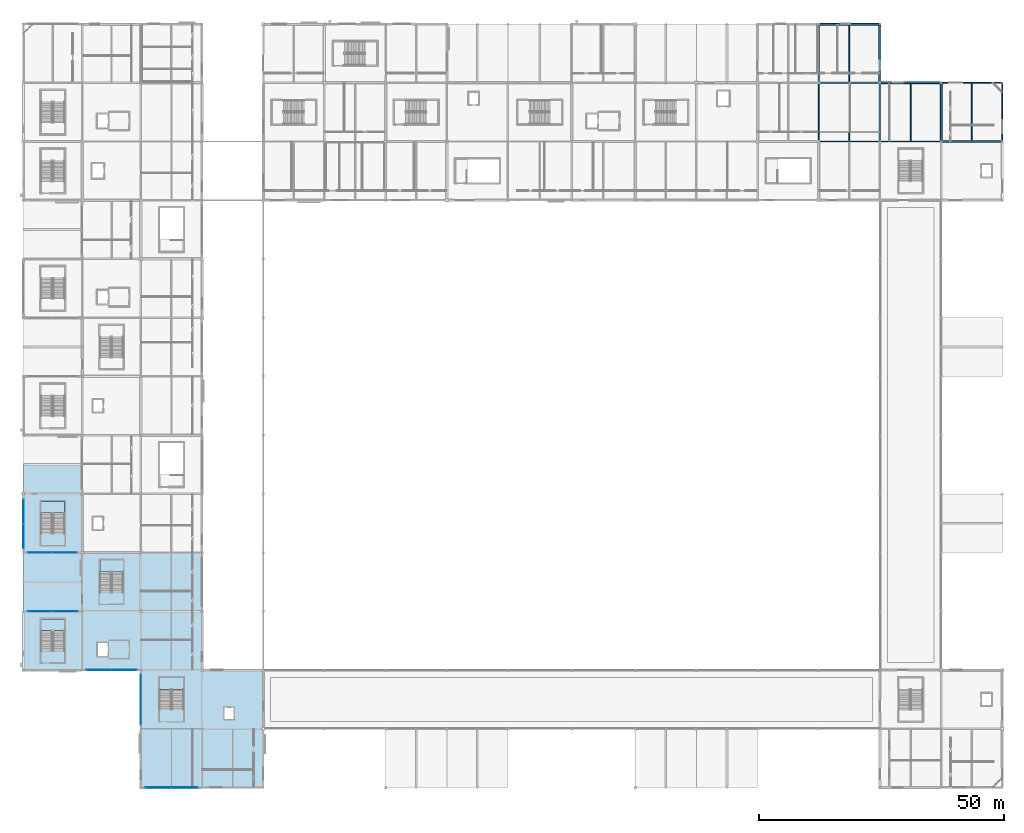
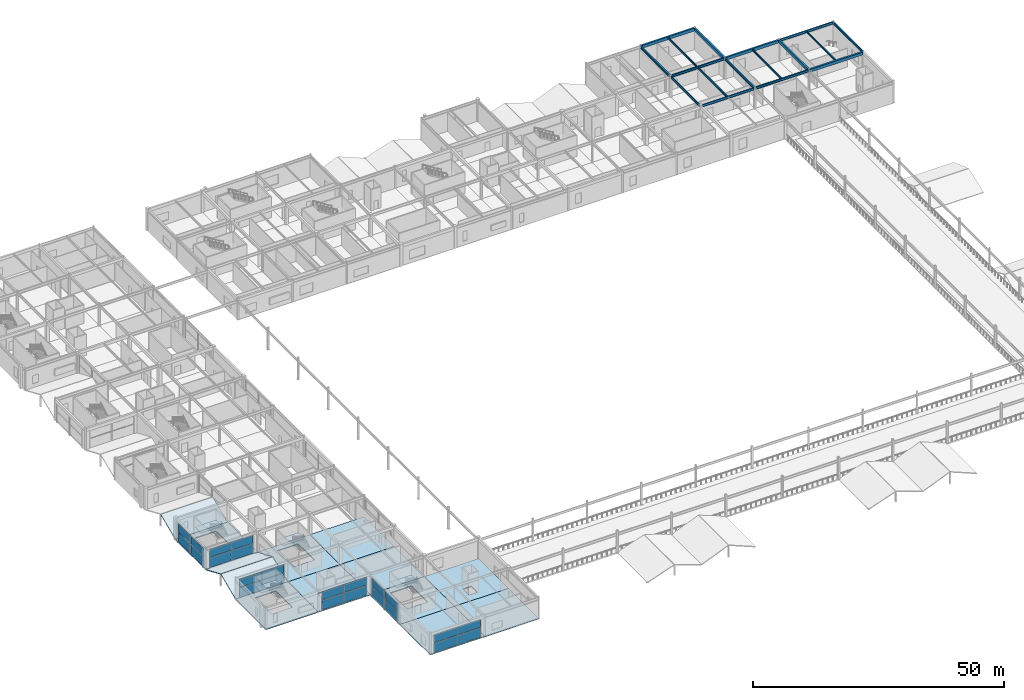
# One storey, part 57 of 105: 24 plates, 17 beams, 17 slabs, 10 elements without a shape of their own.
"""IFC4 building model written with IfcOpenShell, lengths in metres."""

from ifc_helpers import new_model, si_unit, direction, frame, origin, origin_2d, place, context, subcontext, project, spatial, polyline, rectangle, i_section, outline, extrude, material, layer, layer_set, material_profile, profile_set, type_object, element, aggregate, save


model = new_model("IFC4")

# Units and contexts
model_context = context("Model", 3, precision=1e-05, world=origin(), true_north=direction((0.0, 1.0)))
body_context = subcontext(model_context, "Body", "Model", "MODEL_VIEW")
ifc_project = project(units=[si_unit("LENGTHUNIT", "METRE"), si_unit("AREAUNIT", "SQUARE_METRE"), si_unit("VOLUMEUNIT", "CUBIC_METRE"), si_unit("PLANEANGLEUNIT", "RADIAN"), si_unit("MASSUNIT", "GRAM", prefix="KILO")], contexts=[model_context])

# Site, building, storey
site_placement = place(None, origin())
site = spatial("IfcSite", under=ifc_project, at=site_placement, CompositionType="ELEMENT")
building_placement = place(site_placement, origin())
building = spatial("IfcBuilding", under=site, at=building_placement, Name="Kazenohara Klinker Stadium", CompositionType="ELEMENT")
storey_placement = place(building_placement, frame((0.0, 0.0, 20.39990234375)))
storey = spatial("IfcBuildingStorey", under=building, at=storey_placement, Name="L04", CompositionType="ELEMENT", Elevation=20.39990234375)

# Beams
ifc_material_1 = material(Name="Steel S355", Category="steel")
ifc_material_profile_1 = material_profile(ifc_material_1, i_section(OverallWidth=0.199951171875, OverallDepth=0.5, WebThickness=0.010009765625, FlangeThickness=0.01611328125, FilletRadius=0.012939453125, at=origin_2d()), Name="H-500x200x10x16")
ifc_profile_set_1 = profile_set([ifc_material_profile_1], Name="Steel S355")
beam_type_1 = type_object("IfcBeamType", Name="BM-JST01", PredefinedType="JOIST", material=ifc_profile_set_1)
beam_1_placement = place(storey_placement, frame((168.75, 144.10009765625, 4.93017578125), z_axis=(0.0, 1.0, 0.0), x_axis=(-1.0, 0.0, 0.0)))
element("IfcBeam", 1, at=beam_1_placement, inside=storey, type_object=beam_type_1, Name="Secondary floor joist SJ01 L04 14/N", PredefinedType="JOIST", context=body_context, shape_type="SweptSolid", body=[
    extrude(i_section(OverallWidth=0.199951171875, OverallDepth=0.5, WebThickness=0.010009765625, FlangeThickness=0.01611328125, FilletRadius=0.012939453125, at=origin_2d()), origin(), (0.0, 0.0, 1.0), 11.75),
])
ifc_material_profile_2 = material_profile(ifc_material_1, i_section(OverallWidth=0.199951171875, OverallDepth=0.449951171875, WebThickness=0.009033203125, FlangeThickness=0.013916015625, FilletRadius=0.012939453125, at=origin_2d()), Name="H-450x200x9x14")
ifc_profile_set_2 = profile_set([ifc_material_profile_2], Name="Steel S355")
beam_type_2 = type_object("IfcBeamType", Name="BM-JST02", PredefinedType="JOIST", material=ifc_profile_set_2)
for number, where, z_axis, x_axis, name in (
    (2, (168.75, 156.14990234375, 4.955078125), (0.0, 1.0, 0.0), (-1.0, 0.0, 0.0), "Secondary floor joist SJ02 L04 14/P"),
    (3, (181.25, 144.14990234375, 4.955078125), (0.0, 1.0, 0.0), (-1.0, 0.0, 0.0), "Secondary floor joist SJ02 L04 15/N"),
):
    element("IfcBeam", number, at=place(storey_placement, frame(where, z_axis=z_axis, x_axis=x_axis)), inside=storey, type_object=beam_type_2, Name=name, PredefinedType="JOIST", context=body_context, shape_type="SweptSolid", body=[
        extrude(i_section(OverallWidth=0.199951171875, OverallDepth=0.449951171875, WebThickness=0.009033203125, FlangeThickness=0.013916015625, FilletRadius=0.012939453125, at=origin_2d()), origin(), (0.0, 0.0, 1.0), 11.650146484375),
    ])
ifc_material_profile_3 = material_profile(ifc_material_1, i_section(OverallWidth=0.199951171875, OverallDepth=0.39990234375, WebThickness=0.008056640625, FlangeThickness=0.012939453125, FilletRadius=0.012939453125, at=origin_2d()), Name="H-400x200x8x13")
ifc_profile_set_3 = profile_set([ifc_material_profile_3], Name="Steel S355")
beam_type_3 = type_object("IfcBeamType", Name="BM-JST03", PredefinedType="JOIST", material=ifc_profile_set_3)
beam_2_placement = place(storey_placement, frame((193.75, 144.199951171875, 4.97998046875), z_axis=(0.0, 1.0, 0.0), x_axis=(-1.0, 0.0, 0.0)))
element("IfcBeam", 4, at=beam_2_placement, inside=storey, type_object=beam_type_3, Name="Secondary floor joist SJ03 L04 16/N", PredefinedType="JOIST", context=body_context, shape_type="SweptSolid", body=[
    extrude(i_section(OverallWidth=0.199951171875, OverallDepth=0.39990234375, WebThickness=0.008056640625, FlangeThickness=0.012939453125, FilletRadius=0.012939453125, at=origin_2d()), origin(), (0.0, 0.0, 1.0), 11.699951171875),
])
ifc_material_2 = material(Name="Concrete C40/50", Category="concrete")
ifc_material_profile_4 = material_profile(ifc_material_2, rectangle(XDim=0.39990234375, YDim=0.699951171875, at=origin_2d()), Name="RC-BM-400x700")
ifc_profile_set_4 = profile_set([ifc_material_profile_4], Name="Concrete C40/50")
beam_type_4 = type_object("IfcBeamType", Name="BM-RC04", PredefinedType="BEAM", material=ifc_profile_set_4)
for number, where, z_axis, x_axis, name in (
    (5, (162.675048828125, 168.0, 4.830078125), (1.0, 0.0, 0.0), (0.0, 1.0, 0.0), "Primary girder BG04 L04 14-15/Q"),
    (6, (175.175048828125, 156.0, 4.830078125), (1.0, 0.0, 0.0), (0.0, 1.0, 0.0), "Primary girder BG04 L04 15-16/P"),
    (7, (187.675048828125, 144.0, 4.830078125), (1.0, 0.0, 0.0), (0.0, 1.0, 0.0), "Primary girder BG04 L04 16-17/N"),
):
    element("IfcBeam", number, at=place(storey_placement, frame(where, z_axis=z_axis, x_axis=x_axis)), inside=storey, type_object=beam_type_4, Name=name, PredefinedType="BEAM", context=body_context, shape_type="SweptSolid", body=[
        extrude(rectangle(XDim=0.39990234375, YDim=0.699951171875, at=origin_2d()), origin(), (0.0, 0.0, 1.0), 12.175048828125),
    ])
for number, where, z_axis, x_axis, name in (
    (8, (175.0, 156.175048828125, 4.830078125), (0.0, 1.0, 0.0), (-1.0, 0.0, 0.0), "Primary girder BG04 L04 15/P-Q"),
    (9, (187.5, 144.175048828125, 4.830078125), (0.0, 1.0, 0.0), (-1.0, 0.0, 0.0), "Primary girder BG04 L04 16/N-P"),
):
    element("IfcBeam", number, at=place(storey_placement, frame(where, z_axis=z_axis, x_axis=x_axis)), inside=storey, type_object=beam_type_4, Name=name, PredefinedType="BEAM", context=body_context, shape_type="SweptSolid", body=[
        extrude(rectangle(XDim=0.39990234375, YDim=0.699951171875, at=origin_2d()), origin(), (0.0, 0.0, 1.0), 11.675048828125),
    ])
ifc_material_profile_5 = material_profile(ifc_material_1, i_section(OverallWidth=0.199951171875, OverallDepth=0.60009765625, WebThickness=0.010986328125, FlangeThickness=0.01708984375, FilletRadius=0.012939453125, at=origin_2d()), Name="H-600x200x11x17")
ifc_profile_set_5 = profile_set([ifc_material_profile_5], Name="Steel S355")
beam_type_5 = type_object("IfcBeamType", Name="BM-ST04", PredefinedType="BEAM", material=ifc_profile_set_5)
beam_3_placement = place(storey_placement, frame((162.800048828125, 144.0, 4.880126953125), z_axis=(1.0, 0.0, 0.0), x_axis=(0.0, 1.0, 0.0)))
element("IfcBeam", 10, at=beam_3_placement, inside=storey, type_object=beam_type_5, Name="Primary girder SB04 L04 14-15/N", PredefinedType="BEAM", context=body_context, shape_type="SweptSolid", body=[
    extrude(i_section(OverallWidth=0.199951171875, OverallDepth=0.60009765625, WebThickness=0.010986328125, FlangeThickness=0.01708984375, FilletRadius=0.012939453125, at=origin_2d()), origin(), (0.0, 0.0, 1.0), 12.0),
])
beam_4_placement = place(storey_placement, frame((187.64990234375, 156.0, 4.880126953125), z_axis=(1.0, 0.0, 0.0), x_axis=(0.0, 1.0, 0.0)))
element("IfcBeam", 11, at=beam_4_placement, inside=storey, type_object=beam_type_5, Name="Primary girder SB04 L04 16-17/P", PredefinedType="BEAM", context=body_context, shape_type="SweptSolid", body=[
    extrude(i_section(OverallWidth=0.199951171875, OverallDepth=0.60009765625, WebThickness=0.010986328125, FlangeThickness=0.01708984375, FilletRadius=0.012939453125, at=origin_2d()), origin(), (0.0, 0.0, 1.0), 12.22509765625),
])
beam_5_placement = place(storey_placement, frame((162.5, 144.300048828125, 4.880126953125), z_axis=(0.0, 1.0, 0.0), x_axis=(-1.0, 0.0, 0.0)))
element("IfcBeam", 12, at=beam_5_placement, inside=storey, type_object=beam_type_5, Name="Primary girder SB04 L04 14/N-P", PredefinedType="BEAM", context=body_context, shape_type="SweptSolid", body=[
    extrude(i_section(OverallWidth=0.199951171875, OverallDepth=0.60009765625, WebThickness=0.010986328125, FlangeThickness=0.01708984375, FilletRadius=0.012939453125, at=origin_2d()), origin(), (0.0, 0.0, 1.0), 11.5),
])
beam_6_placement = place(storey_placement, frame((200.0, 144.14990234375, 4.880126953125), z_axis=(0.0, 1.0, 0.0), x_axis=(-1.0, 0.0, 0.0)))
element("IfcBeam", 13, at=beam_6_placement, inside=storey, type_object=beam_type_5, Name="Primary girder SB04 L04 17/N-P", PredefinedType="BEAM", context=body_context, shape_type="SweptSolid", body=[
    extrude(i_section(OverallWidth=0.199951171875, OverallDepth=0.60009765625, WebThickness=0.010986328125, FlangeThickness=0.01708984375, FilletRadius=0.012939453125, at=origin_2d()), origin(), (0.0, 0.0, 1.0), 11.72509765625),
])
ifc_material_profile_6 = material_profile(ifc_material_1, i_section(OverallWidth=0.300048828125, OverallDepth=0.587890625, WebThickness=0.011962890625, FlangeThickness=0.02001953125, FilletRadius=0.02197265625, at=origin_2d()), Name="H-588x300x12x20")
ifc_profile_set_6 = profile_set([ifc_material_profile_6], Name="Steel S355")
beam_type_6 = type_object("IfcBeamType", Name="BM-ST05", PredefinedType="BEAM", material=ifc_profile_set_6)
for number, where, z_axis, x_axis, name in (
    (14, (162.699951171875, 156.0, 4.885986328125), (1.0, 0.0, 0.0), (0.0, 1.0, 0.0), "Primary girder SB05 L04 14-15/P"),
    (15, (175.199951171875, 144.0, 4.885986328125), (1.0, 0.0, 0.0), (0.0, 1.0, 0.0), "Primary girder SB05 L04 15-16/N"),
):
    element("IfcBeam", number, at=place(storey_placement, frame(where, z_axis=z_axis, x_axis=x_axis)), inside=storey, type_object=beam_type_6, Name=name, PredefinedType="BEAM", context=body_context, shape_type="SweptSolid", body=[
        extrude(i_section(OverallWidth=0.300048828125, OverallDepth=0.587890625, WebThickness=0.011962890625, FlangeThickness=0.02001953125, FilletRadius=0.02197265625, at=origin_2d()), origin(), (0.0, 0.0, 1.0), 12.125),
    ])
for number, where, z_axis, x_axis, name in (
    (16, (162.5, 156.199951171875, 4.885986328125), (0.0, 1.0, 0.0), (-1.0, 0.0, 0.0), "Primary girder SB05 L04 14/P-Q"),
    (17, (175.0, 144.199951171875, 4.885986328125), (0.0, 1.0, 0.0), (-1.0, 0.0, 0.0), "Primary girder SB05 L04 15/N-P"),
):
    element("IfcBeam", number, at=place(storey_placement, frame(where, z_axis=z_axis, x_axis=x_axis)), inside=storey, type_object=beam_type_6, Name=name, PredefinedType="BEAM", context=body_context, shape_type="SweptSolid", body=[
        extrude(i_section(OverallWidth=0.300048828125, OverallDepth=0.587890625, WebThickness=0.011962890625, FlangeThickness=0.02001953125, FilletRadius=0.02197265625, at=origin_2d()), origin(), (0.0, 0.0, 1.0), 11.625),
    ])

# Curtain wall, plates
ifc_material_3 = material(Name="Anodised aluminium and triple glazing", Category="aluminium")
ifc_layer_1 = layer(ifc_material_3, 0.159912109375)
ifc_layer_set_1 = layer_set([ifc_layer_1], Name="Anodised aluminium and triple glazing")
curtain_wall_type_1 = type_object("IfcCurtainWallType", Name="CW-SYS-01", PredefinedType="USERDEFINED", material=ifc_layer_set_1)
curtain_wall_1_placement = place(storey_placement, origin())
curtain_wall_1 = element("IfcCurtainWall", 18, at=curtain_wall_1_placement, inside=storey, type_object=curtain_wall_type_1, Name="Unitised facade curtain wall CW01 L04 X0-4", ObjectType="UNITISED CURTAIN WALL", PredefinedType="USERDEFINED")
ifc_material_4 = material(Name="Low-e laminated triple glazing", Category="glass")
ifc_layer_2 = layer(ifc_material_4, 0.0439453125)
ifc_layer_set_2 = layer_set([ifc_layer_2], Name="Low-e laminated triple glazing")
plate_type = type_object("IfcPlateType", Name="CW-PNL-44", PredefinedType="CURTAIN_PANEL", material=ifc_layer_set_2)
plate_1_placement = place(storey_placement, frame((3.427001953125, 48.0, 0.0751953125), z_axis=(0.0, 0.0, 1.0), x_axis=(1.0, 0.0, 0.0)))
plate_1 = element("IfcPlate", 19, at=plate_1_placement, type_object=plate_type, Name="CW01 panel 1.1", PredefinedType="CURTAIN_PANEL", context=body_context, shape_type="SweptSolid", body=[
    extrude(rectangle(XDim=5.095947265625, YDim=0.0439453125, at=origin_2d()), origin(), (0.0, 0.0, 1.0), 2.406494140625),
])
plate_2_placement = place(storey_placement, frame((3.427001953125, 48.0, 2.556640625), z_axis=(0.0, 0.0, 1.0), x_axis=(1.0, 0.0, 0.0)))
plate_2 = element("IfcPlate", 20, at=plate_2_placement, type_object=plate_type, Name="CW01 panel 1.2", PredefinedType="CURTAIN_PANEL", context=body_context, shape_type="SweptSolid", body=[
    extrude(rectangle(XDim=5.095947265625, YDim=0.0439453125, at=origin_2d()), origin(), (0.0, 0.0, 1.0), 1.948486328125),
])
plate_3_placement = place(storey_placement, frame((8.597900390625, 48.0, 0.0751953125), z_axis=(0.0, 0.0, 1.0), x_axis=(1.0, 0.0, 0.0)))
plate_3 = element("IfcPlate", 21, at=plate_3_placement, type_object=plate_type, Name="CW01 panel 2.1", PredefinedType="CURTAIN_PANEL", context=body_context, shape_type="SweptSolid", body=[
    extrude(rectangle(XDim=5.095947265625, YDim=0.0439453125, at=origin_2d()), origin(), (0.0, 0.0, 1.0), 2.406494140625),
])
plate_4_placement = place(storey_placement, frame((8.597900390625, 48.0, 2.556640625), z_axis=(0.0, 0.0, 1.0), x_axis=(1.0, 0.0, 0.0)))
plate_4 = element("IfcPlate", 22, at=plate_4_placement, type_object=plate_type, Name="CW01 panel 2.2", PredefinedType="CURTAIN_PANEL", context=body_context, shape_type="SweptSolid", body=[
    extrude(rectangle(XDim=5.095947265625, YDim=0.0439453125, at=origin_2d()), origin(), (0.0, 0.0, 1.0), 1.948486328125),
])
aggregate(curtain_wall_1, [plate_1, plate_2, plate_3, plate_4])

ifc_layer_3 = layer(ifc_material_3, 0.179931640625)
ifc_layer_set_3 = layer_set([ifc_layer_3], Name="Anodised aluminium and triple glazing")
curtain_wall_type_2 = type_object("IfcCurtainWallType", Name="CW-SYS-02", PredefinedType="USERDEFINED", material=ifc_layer_set_3)
curtain_wall_2_placement = place(storey_placement, origin())
curtain_wall_2 = element("IfcCurtainWall", 23, at=curtain_wall_2_placement, inside=storey, type_object=curtain_wall_type_2, Name="Unitised facade curtain wall CW02 L04 X0-5", ObjectType="UNITISED CURTAIN WALL", PredefinedType="USERDEFINED")
plate_5_placement = place(storey_placement, frame((3.35205078125, 60.0, 0.0751953125), z_axis=(0.0, 0.0, 1.0), x_axis=(1.0, 0.0, 0.0)))
plate_5 = element("IfcPlate", 24, at=plate_5_placement, type_object=plate_type, Name="CW02 panel 1.1", PredefinedType="CURTAIN_PANEL", context=body_context, shape_type="SweptSolid", body=[
    extrude(rectangle(XDim=4.99609375, YDim=0.0439453125, at=origin_2d()), origin(), (0.0, 0.0, 1.0), 2.4130859375),
])
plate_6_placement = place(storey_placement, frame((3.35205078125, 60.0, 2.56298828125), z_axis=(0.0, 0.0, 1.0), x_axis=(1.0, 0.0, 0.0)))
plate_6 = element("IfcPlate", 25, at=plate_6_placement, type_object=plate_type, Name="CW02 panel 1.2", PredefinedType="CURTAIN_PANEL", context=body_context, shape_type="SweptSolid", body=[
    extrude(rectangle(XDim=4.99609375, YDim=0.0439453125, at=origin_2d()), origin(), (0.0, 0.0, 1.0), 1.953857421875),
])
plate_7_placement = place(storey_placement, frame((8.423095703125, 60.0, 0.0751953125), z_axis=(0.0, 0.0, 1.0), x_axis=(1.0, 0.0, 0.0)))
plate_7 = element("IfcPlate", 26, at=plate_7_placement, type_object=plate_type, Name="CW02 panel 2.1", PredefinedType="CURTAIN_PANEL", context=body_context, shape_type="SweptSolid", body=[
    extrude(rectangle(XDim=4.99609375, YDim=0.0439453125, at=origin_2d()), origin(), (0.0, 0.0, 1.0), 2.4130859375),
])
plate_8_placement = place(storey_placement, frame((8.423095703125, 60.0, 2.56298828125), z_axis=(0.0, 0.0, 1.0), x_axis=(1.0, 0.0, 0.0)))
plate_8 = element("IfcPlate", 27, at=plate_8_placement, type_object=plate_type, Name="CW02 panel 2.2", PredefinedType="CURTAIN_PANEL", context=body_context, shape_type="SweptSolid", body=[
    extrude(rectangle(XDim=4.99609375, YDim=0.0439453125, at=origin_2d()), origin(), (0.0, 0.0, 1.0), 1.953857421875),
])
aggregate(curtain_wall_2, [plate_5, plate_6, plate_7, plate_8])

ifc_layer_4 = layer(ifc_material_3, 0.199951171875)
ifc_layer_set_4 = layer_set([ifc_layer_4], Name="Anodised aluminium and triple glazing")
curtain_wall_type_3 = type_object("IfcCurtainWallType", Name="CW-SYS-03", PredefinedType="USERDEFINED", material=ifc_layer_set_4)
curtain_wall_3_placement = place(storey_placement, origin())
curtain_wall_3 = element("IfcCurtainWall", 28, at=curtain_wall_3_placement, inside=storey, type_object=curtain_wall_type_3, Name="Unitised facade curtain wall CW03 L04 Y0-5", ObjectType="UNITISED CURTAIN WALL", PredefinedType="USERDEFINED")
plate_9_placement = place(storey_placement, frame((0.0, 63.35205078125, 0.0751953125), z_axis=(0.0, 0.0, 1.0), x_axis=(0.0, 1.0, 0.0)))
plate_9 = element("IfcPlate", 29, at=plate_9_placement, type_object=plate_type, Name="CW03 panel 1.1", PredefinedType="CURTAIN_PANEL", context=body_context, shape_type="SweptSolid", body=[
    extrude(rectangle(XDim=4.99609375, YDim=0.0439453125, at=origin_2d()), origin(), (0.0, 0.0, 1.0), 2.4130859375),
])
plate_10_placement = place(storey_placement, frame((0.0, 63.35205078125, 2.56298828125), z_axis=(0.0, 0.0, 1.0), x_axis=(0.0, 1.0, 0.0)))
plate_10 = element("IfcPlate", 30, at=plate_10_placement, type_object=plate_type, Name="CW03 panel 1.2", PredefinedType="CURTAIN_PANEL", context=body_context, shape_type="SweptSolid", body=[
    extrude(rectangle(XDim=4.99609375, YDim=0.0439453125, at=origin_2d()), origin(), (0.0, 0.0, 1.0), 1.953857421875),
])
plate_11_placement = place(storey_placement, frame((0.0, 68.423095703125, 0.0751953125), z_axis=(0.0, 0.0, 1.0), x_axis=(0.0, 1.0, 0.0)))
plate_11 = element("IfcPlate", 31, at=plate_11_placement, type_object=plate_type, Name="CW03 panel 2.1", PredefinedType="CURTAIN_PANEL", context=body_context, shape_type="SweptSolid", body=[
    extrude(rectangle(XDim=4.99609375, YDim=0.0439453125, at=origin_2d()), origin(), (0.0, 0.0, 1.0), 2.4130859375),
])
plate_12_placement = place(storey_placement, frame((0.0, 68.423095703125, 2.56298828125), z_axis=(0.0, 0.0, 1.0), x_axis=(0.0, 1.0, 0.0)))
plate_12 = element("IfcPlate", 32, at=plate_12_placement, type_object=plate_type, Name="CW03 panel 2.2", PredefinedType="CURTAIN_PANEL", context=body_context, shape_type="SweptSolid", body=[
    extrude(rectangle(XDim=4.99609375, YDim=0.0439453125, at=origin_2d()), origin(), (0.0, 0.0, 1.0), 1.953857421875),
])
aggregate(curtain_wall_3, [plate_9, plate_10, plate_11, plate_12])

curtain_wall_4_placement = place(storey_placement, origin())
curtain_wall_4 = element("IfcCurtainWall", 33, at=curtain_wall_4_placement, inside=storey, type_object=curtain_wall_type_3, Name="Unitised facade curtain wall CW03 L04 X1-3", ObjectType="UNITISED CURTAIN WALL", PredefinedType="USERDEFINED")
plate_13_placement = place(storey_placement, frame((15.427001953125, 36.0, 0.0751953125), z_axis=(0.0, 0.0, 1.0), x_axis=(1.0, 0.0, 0.0)))
plate_13 = element("IfcPlate", 34, at=plate_13_placement, type_object=plate_type, Name="CW03 panel 1.1", PredefinedType="CURTAIN_PANEL", context=body_context, shape_type="SweptSolid", body=[
    extrude(rectangle(XDim=5.095947265625, YDim=0.0439453125, at=origin_2d()), origin(), (0.0, 0.0, 1.0), 2.406494140625),
])
plate_14_placement = place(storey_placement, frame((15.427001953125, 36.0, 2.556640625), z_axis=(0.0, 0.0, 1.0), x_axis=(1.0, 0.0, 0.0)))
plate_14 = element("IfcPlate", 35, at=plate_14_placement, type_object=plate_type, Name="CW03 panel 1.2", PredefinedType="CURTAIN_PANEL", context=body_context, shape_type="SweptSolid", body=[
    extrude(rectangle(XDim=5.095947265625, YDim=0.0439453125, at=origin_2d()), origin(), (0.0, 0.0, 1.0), 1.948486328125),
])
plate_15_placement = place(storey_placement, frame((20.597900390625, 36.0, 0.0751953125), z_axis=(0.0, 0.0, 1.0), x_axis=(1.0, 0.0, 0.0)))
plate_15 = element("IfcPlate", 36, at=plate_15_placement, type_object=plate_type, Name="CW03 panel 2.1", PredefinedType="CURTAIN_PANEL", context=body_context, shape_type="SweptSolid", body=[
    extrude(rectangle(XDim=5.095947265625, YDim=0.0439453125, at=origin_2d()), origin(), (0.0, 0.0, 1.0), 2.406494140625),
])
plate_16_placement = place(storey_placement, frame((20.597900390625, 36.0, 2.556640625), z_axis=(0.0, 0.0, 1.0), x_axis=(1.0, 0.0, 0.0)))
plate_16 = element("IfcPlate", 37, at=plate_16_placement, type_object=plate_type, Name="CW03 panel 2.2", PredefinedType="CURTAIN_PANEL", context=body_context, shape_type="SweptSolid", body=[
    extrude(rectangle(XDim=5.095947265625, YDim=0.0439453125, at=origin_2d()), origin(), (0.0, 0.0, 1.0), 1.948486328125),
])
aggregate(curtain_wall_4, [plate_13, plate_14, plate_15, plate_16])

curtain_wall_5_placement = place(storey_placement, origin())
curtain_wall_5 = element("IfcCurtainWall", 38, at=curtain_wall_5_placement, inside=storey, type_object=curtain_wall_type_1, Name="Unitised facade curtain wall CW01 L04 X2-1", ObjectType="UNITISED CURTAIN WALL", PredefinedType="USERDEFINED")
plate_17_placement = place(storey_placement, frame((27.564453125, 12.0, 0.074951171875), z_axis=(0.0, 0.0, 1.0), x_axis=(1.0, 0.0, 0.0)))
plate_17 = element("IfcPlate", 39, at=plate_17_placement, type_object=plate_type, Name="CW01 panel 1.1", PredefinedType="CURTAIN_PANEL", context=body_context, shape_type="SweptSolid", body=[
    extrude(rectangle(XDim=5.321044921875, YDim=0.0439453125, at=origin_2d()), origin(), (0.0, 0.0, 1.0), 2.3515625),
])
plate_18_placement = place(storey_placement, frame((27.564453125, 12.0, 2.50146484375), z_axis=(0.0, 0.0, 1.0), x_axis=(1.0, 0.0, 0.0)))
plate_18 = element("IfcPlate", 40, at=plate_18_placement, type_object=plate_type, Name="CW01 panel 1.2", PredefinedType="CURTAIN_PANEL", context=body_context, shape_type="SweptSolid", body=[
    extrude(rectangle(XDim=5.321044921875, YDim=0.0439453125, at=origin_2d()), origin(), (0.0, 0.0, 1.0), 1.903564453125),
])
plate_19_placement = place(storey_placement, frame((32.96044921875, 12.0, 0.074951171875), z_axis=(0.0, 0.0, 1.0), x_axis=(1.0, 0.0, 0.0)))
plate_19 = element("IfcPlate", 41, at=plate_19_placement, type_object=plate_type, Name="CW01 panel 2.1", PredefinedType="CURTAIN_PANEL", context=body_context, shape_type="SweptSolid", body=[
    extrude(rectangle(XDim=5.321044921875, YDim=0.0439453125, at=origin_2d()), origin(), (0.0, 0.0, 1.0), 2.3515625),
])
plate_20_placement = place(storey_placement, frame((32.96044921875, 12.0, 2.50146484375), z_axis=(0.0, 0.0, 1.0), x_axis=(1.0, 0.0, 0.0)))
plate_20 = element("IfcPlate", 42, at=plate_20_placement, type_object=plate_type, Name="CW01 panel 2.2", PredefinedType="CURTAIN_PANEL", context=body_context, shape_type="SweptSolid", body=[
    extrude(rectangle(XDim=5.321044921875, YDim=0.0439453125, at=origin_2d()), origin(), (0.0, 0.0, 1.0), 1.903564453125),
])
aggregate(curtain_wall_5, [plate_17, plate_18, plate_19, plate_20])

curtain_wall_6_placement = place(storey_placement, origin())
curtain_wall_6 = element("IfcCurtainWall", 43, at=curtain_wall_6_placement, inside=storey, type_object=curtain_wall_type_2, Name="Unitised facade curtain wall CW02 L04 Y2-2", ObjectType="UNITISED CURTAIN WALL", PredefinedType="USERDEFINED")
plate_21_placement = place(storey_placement, frame((24.0, 27.427001953125, 0.0751953125), z_axis=(0.0, 0.0, 1.0), x_axis=(0.0, 1.0, 0.0)))
plate_21 = element("IfcPlate", 44, at=plate_21_placement, type_object=plate_type, Name="CW02 panel 1.1", PredefinedType="CURTAIN_PANEL", context=body_context, shape_type="SweptSolid", body=[
    extrude(rectangle(XDim=5.095947265625, YDim=0.0439453125, at=origin_2d()), origin(), (0.0, 0.0, 1.0), 2.406494140625),
])
plate_22_placement = place(storey_placement, frame((24.0, 27.427001953125, 2.556640625), z_axis=(0.0, 0.0, 1.0), x_axis=(0.0, 1.0, 0.0)))
plate_22 = element("IfcPlate", 45, at=plate_22_placement, type_object=plate_type, Name="CW02 panel 1.2", PredefinedType="CURTAIN_PANEL", context=body_context, shape_type="SweptSolid", body=[
    extrude(rectangle(XDim=5.095947265625, YDim=0.0439453125, at=origin_2d()), origin(), (0.0, 0.0, 1.0), 1.948486328125),
])
plate_23_placement = place(storey_placement, frame((24.0, 32.597900390625, 0.0751953125), z_axis=(0.0, 0.0, 1.0), x_axis=(0.0, 1.0, 0.0)))
plate_23 = element("IfcPlate", 46, at=plate_23_placement, type_object=plate_type, Name="CW02 panel 2.1", PredefinedType="CURTAIN_PANEL", context=body_context, shape_type="SweptSolid", body=[
    extrude(rectangle(XDim=5.095947265625, YDim=0.0439453125, at=origin_2d()), origin(), (0.0, 0.0, 1.0), 2.406494140625),
])
plate_24_placement = place(storey_placement, frame((24.0, 32.597900390625, 2.556640625), z_axis=(0.0, 0.0, 1.0), x_axis=(0.0, 1.0, 0.0)))
plate_24 = element("IfcPlate", 47, at=plate_24_placement, type_object=plate_type, Name="CW02 panel 2.2", PredefinedType="CURTAIN_PANEL", context=body_context, shape_type="SweptSolid", body=[
    extrude(rectangle(XDim=5.095947265625, YDim=0.0439453125, at=origin_2d()), origin(), (0.0, 0.0, 1.0), 1.948486328125),
])
aggregate(curtain_wall_6, [plate_21, plate_22, plate_23, plate_24])

# Slabs
ifc_layer_5 = layer(ifc_material_2, 0.239990234375)
ifc_layer_set_5 = layer_set([ifc_layer_5], Name="Concrete C40/50")
slab_type_1 = type_object("IfcSlabType", Name="SLB-FLR-240", PredefinedType="FLOOR", material=ifc_layer_set_5)
slab_1_placement = place(storey_placement, frame((0.0, 0.0, -0.239990234375)))
element("IfcSlab", 48, at=slab_1_placement, inside=storey, type_object=slab_type_1, Name="Floor slab FS05 L04 1/D", PredefinedType="FLOOR", context=body_context, shape_type="SweptSolid", body=[
    extrude(outline(polyline([(0.0, 36.0), (12.0, 36.0), (12.0, 48.0), (0.0, 48.0), (0.0, 36.0)]), holes=[polyline([(8.39990234375, 39.919921875), (8.39990234375, 46.4599609375), (3.60009765625, 46.4599609375), (3.60009765625, 39.919921875), (8.39990234375, 39.919921875)])]), origin(), (0.0, 0.0, 1.0), 0.239990234375),
])
slab_2_placement = place(storey_placement, frame((0.0, 0.0, -0.239990234375)))
element("IfcSlab", 49, at=slab_2_placement, inside=storey, type_object=slab_type_1, Name="Floor slab FS05 L04 1/F", PredefinedType="FLOOR", context=body_context, shape_type="SweptSolid", body=[
    extrude(outline(polyline([(0.0, 60.0), (12.0, 60.0), (12.0, 72.0), (0.0, 72.0), (0.0, 60.0)]), holes=[polyline([(8.409912109375, 63.929931640625), (8.409912109375, 70.4599609375), (3.590087890625, 70.4599609375), (3.590087890625, 63.929931640625), (8.409912109375, 63.929931640625)])]), origin(), (0.0, 0.0, 1.0), 0.239990234375),
])
slab_3_placement = place(storey_placement, frame((0.0, 0.0, -0.239990234375)))
element("IfcSlab", 50, at=slab_3_placement, inside=storey, type_object=slab_type_1, Name="Floor slab FS05 L04 2/D", PredefinedType="FLOOR", context=body_context, shape_type="SweptSolid", body=[
    extrude(outline(polyline([(12.0, 36.0), (24.0, 36.0), (24.0, 48.0), (12.0, 48.0), (12.0, 36.0)]), holes=[polyline([(15.14990234375, 38.85009765625), (17.25, 38.85009765625), (17.25, 41.550048828125), (15.14990234375, 41.550048828125), (15.14990234375, 38.85009765625)])]), origin(), (0.0, 0.0, 1.0), 0.239990234375),
])
slab_4_placement = place(storey_placement, frame((0.0, 0.0, -0.239990234375)))
element("IfcSlab", 51, at=slab_4_placement, inside=storey, type_object=slab_type_1, Name="Floor slab FS05 L04 2/E", PredefinedType="FLOOR", context=body_context, shape_type="SweptSolid", body=[
    extrude(outline(polyline([(12.0, 48.0), (24.0, 48.0), (24.0, 60.0), (12.0, 60.0), (12.0, 48.0)]), holes=[polyline([(20.39990234375, 51.919921875), (20.39990234375, 58.4599609375), (15.60009765625, 58.4599609375), (15.60009765625, 51.919921875), (20.39990234375, 51.919921875)])]), origin(), (0.0, 0.0, 1.0), 0.239990234375),
])
slab_5_placement = place(storey_placement, frame((0.0, 0.0, -0.239990234375)))
element("IfcSlab", 52, at=slab_5_placement, inside=storey, type_object=slab_type_1, Name="Floor slab FS05 L04 3/B", PredefinedType="FLOOR", context=body_context, shape_type="SweptSolid", body=[
    extrude(outline(polyline([(24.0, 12.0), (36.5, 12.0), (36.5, 24.0), (24.0, 24.0), (24.0, 12.0)])), origin(), (0.0, 0.0, 1.0), 0.239990234375),
])
slab_6_placement = place(storey_placement, frame((0.0, 0.0, -0.239990234375)))
element("IfcSlab", 53, at=slab_6_placement, inside=storey, type_object=slab_type_1, Name="Floor slab FS05 L04 3/C", PredefinedType="FLOOR", context=body_context, shape_type="SweptSolid", body=[
    extrude(outline(polyline([(24.0, 24.0), (36.5, 24.0), (36.5, 36.0), (24.0, 36.0), (24.0, 24.0)]), holes=[polyline([(32.679931640625, 27.949951171875), (32.679931640625, 34.4599609375), (27.820068359375, 34.4599609375), (27.820068359375, 27.949951171875), (32.679931640625, 27.949951171875)])]), origin(), (0.0, 0.0, 1.0), 0.239990234375),
])
slab_7_placement = place(storey_placement, frame((0.0, 0.0, -0.239990234375)))
element("IfcSlab", 54, at=slab_7_placement, inside=storey, type_object=slab_type_1, Name="Floor slab FS05 L04 3/D", PredefinedType="FLOOR", context=body_context, shape_type="SweptSolid", body=[
    extrude(outline(polyline([(24.0, 36.0), (36.5, 36.0), (36.5, 48.0), (24.0, 48.0), (24.0, 36.0)])), origin(), (0.0, 0.0, 1.0), 0.239990234375),
])
slab_8_placement = place(storey_placement, frame((0.0, 0.0, -0.239990234375)))
element("IfcSlab", 55, at=slab_8_placement, inside=storey, type_object=slab_type_1, Name="Floor slab FS05 L04 3/E", PredefinedType="FLOOR", context=body_context, shape_type="SweptSolid", body=[
    extrude(outline(polyline([(24.0, 48.0), (36.5, 48.0), (36.5, 60.0), (24.0, 60.0), (24.0, 48.0)])), origin(), (0.0, 0.0, 1.0), 0.239990234375),
])
slab_9_placement = place(storey_placement, frame((0.0, 0.0, -0.239990234375)))
element("IfcSlab", 56, at=slab_9_placement, inside=storey, type_object=slab_type_1, Name="Floor slab FS05 L04 4/B", PredefinedType="FLOOR", context=body_context, shape_type="SweptSolid", body=[
    extrude(outline(polyline([(36.5, 12.0), (49.0, 12.0), (49.0, 24.0), (36.5, 24.0), (36.5, 12.0)])), origin(), (0.0, 0.0, 1.0), 0.239990234375),
])
slab_10_placement = place(storey_placement, frame((0.0, 0.0, -0.239990234375)))
element("IfcSlab", 57, at=slab_10_placement, inside=storey, type_object=slab_type_1, Name="Floor slab FS05 L04 4/C", PredefinedType="FLOOR", context=body_context, shape_type="SweptSolid", body=[
    extrude(outline(polyline([(36.5, 24.0), (49.0, 24.0), (49.0, 36.0), (36.5, 36.0), (36.5, 24.0)]), holes=[polyline([(41.050048828125, 26.0), (42.949951171875, 26.0), (42.949951171875, 28.39990234375), (41.050048828125, 28.39990234375), (41.050048828125, 26.0)])]), origin(), (0.0, 0.0, 1.0), 0.239990234375),
])

# Stair, slab
stair_type_1 = type_object("IfcStairType", Name="STR-DL-2300", PredefinedType="HALF_TURN_STAIR", material=ifc_material_2)
stair_1_placement = place(storey_placement, origin())
stair_1 = element("IfcStair", 58, at=stair_1_placement, inside=storey, type_object=stair_type_1, Name="L04 Enclosed escape stair ST01", PredefinedType="HALF_TURN_STAIR")
ifc_layer_6 = layer(ifc_material_2, 0.199951171875)
ifc_layer_set_6 = layer_set([ifc_layer_6], Name="Concrete C40/50")
slab_type_2 = type_object("IfcSlabType", Name="SLB-LND-200", PredefinedType="LANDING", material=ifc_layer_set_6)
slab_11_placement = place(storey_placement, frame((0.0, 0.0, 2.5)))
slab_11 = element("IfcSlab", 59, at=slab_11_placement, type_object=slab_type_2, Name="ST01 landing 1", PredefinedType="LANDING", context=body_context, shape_type="SweptSolid", body=[
    extrude(outline(polyline([(8.39990234375, 44.0400390625), (8.39990234375, 46.4599609375), (3.60009765625, 46.4599609375), (3.60009765625, 44.0400390625), (8.39990234375, 44.0400390625)])), origin(), (0.0, 0.0, 1.0), 0.2001953125),
])
aggregate(stair_1, [slab_11])

stair_type_2 = type_object("IfcStairType", Name="STR-DL-2310", PredefinedType="HALF_TURN_STAIR", material=ifc_material_2)
stair_2_placement = place(storey_placement, origin())
stair_2 = element("IfcStair", 60, at=stair_2_placement, inside=storey, type_object=stair_type_2, Name="L04 Enclosed escape stair ST02", PredefinedType="HALF_TURN_STAIR")
slab_12_placement = place(storey_placement, frame((0.0, 0.0, 2.5)))
slab_12 = element("IfcSlab", 61, at=slab_12_placement, type_object=slab_type_2, Name="ST02 landing 1", PredefinedType="LANDING", context=body_context, shape_type="SweptSolid", body=[
    extrude(outline(polyline([(8.409912109375, 68.050048828125), (8.409912109375, 70.4599609375), (3.590087890625, 70.4599609375), (3.590087890625, 68.050048828125), (8.409912109375, 68.050048828125)])), origin(), (0.0, 0.0, 1.0), 0.2001953125),
])
aggregate(stair_2, [slab_12])

stair_type_3 = type_object("IfcStairType", Name="STR-DL-2330", PredefinedType="HALF_TURN_STAIR", material=ifc_material_2)
stair_3_placement = place(storey_placement, origin())
stair_3 = element("IfcStair", 62, at=stair_3_placement, inside=storey, type_object=stair_type_3, Name="L04 Enclosed escape stair ST07", PredefinedType="HALF_TURN_STAIR")
slab_13_placement = place(storey_placement, frame((0.0, 0.0, 2.5)))
slab_13 = element("IfcSlab", 63, at=slab_13_placement, type_object=slab_type_2, Name="ST07 landing 1", PredefinedType="LANDING", context=body_context, shape_type="SweptSolid", body=[
    extrude(outline(polyline([(32.679931640625, 32.070068359375), (32.679931640625, 34.4599609375), (27.820068359375, 34.4599609375), (27.820068359375, 32.070068359375), (32.679931640625, 32.070068359375)])), origin(), (0.0, 0.0, 1.0), 0.2001953125),
])
aggregate(stair_3, [slab_13])

stair_4_placement = place(storey_placement, origin())
stair_4 = element("IfcStair", 64, at=stair_4_placement, inside=storey, type_object=stair_type_1, Name="L04 Enclosed escape stair ST13", PredefinedType="HALF_TURN_STAIR")
slab_14_placement = place(storey_placement, frame((0.0, 0.0, 2.5)))
slab_14 = element("IfcSlab", 65, at=slab_14_placement, type_object=slab_type_2, Name="ST13 landing 1", PredefinedType="LANDING", context=body_context, shape_type="SweptSolid", body=[
    extrude(outline(polyline([(20.39990234375, 56.0400390625), (20.39990234375, 58.4599609375), (15.60009765625, 58.4599609375), (15.60009765625, 56.0400390625), (20.39990234375, 56.0400390625)])), origin(), (0.0, 0.0, 1.0), 0.2001953125),
])
aggregate(stair_4, [slab_14])

# Slabs
ifc_layer_7 = layer(ifc_material_1, 0.169921875)
ifc_layer_set_7 = layer_set([ifc_layer_7], Name="Steel S355")
slab_type_3 = type_object("IfcSlabType", Name="SLB-ROOF-170", PredefinedType="ROOF", material=ifc_layer_set_7)
for number, where, z_axis, x_axis, name in (
    (66, (0.0, 48.0, -0.079833984375), (0.0, -0.39392840207, 0.919141128469), (1.0, 0.0, 0.0), "Sloped snow-shedding wing roof RS02 L04 1/E A"),
    (67, (0.0, 54.050048828125, 2.47021484375), (0.0, 0.39392840207, 0.919141128469), (1.0, 0.0, 0.0), "Sloped snow-shedding wing roof RS02 L04 1/E B"),
    (68, (0.0, 72.0, -0.079833984375), (0.0, -0.39392840207, 0.919141128469), (1.0, 0.0, 0.0), "Sloped snow-shedding wing roof RS02 L04 1/G A"),
):
    element("IfcSlab", number, at=place(storey_placement, frame(where, z_axis=z_axis, x_axis=x_axis)), inside=storey, type_object=slab_type_3, Name=name, PredefinedType="ROOF", context=body_context, shape_type="SweptSolid", body=[
        extrude(outline(polyline([(0.0, 0.0), (12.0, 0.0), (12.0, 6.473381494514158), (0.0, 6.473381494514158), (0.0, 0.0)])), origin(), (0.0, 0.0, -1.0), 0.169921875),
    ])

save(model, "model.ifc")
